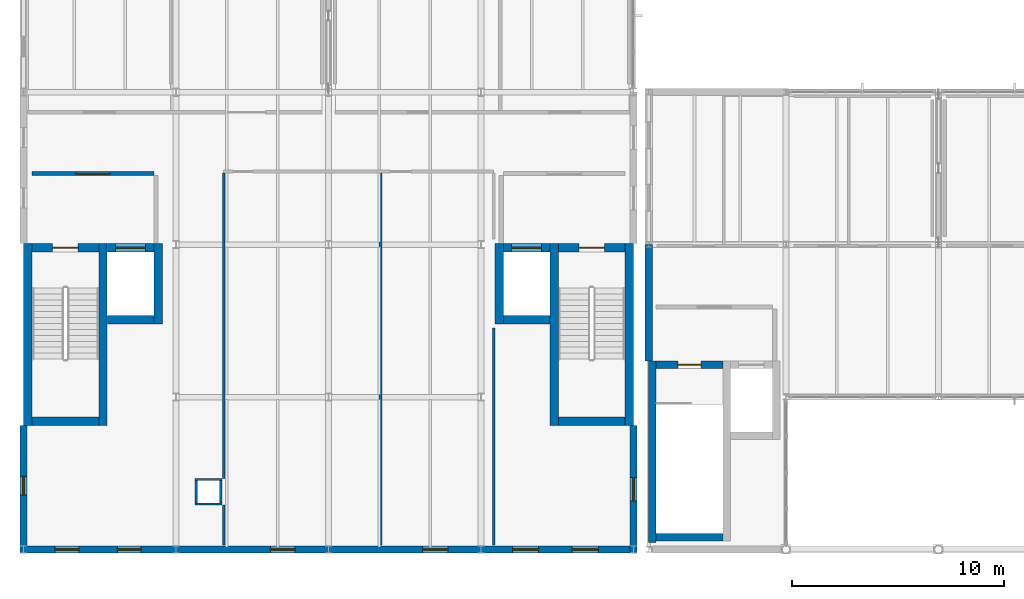
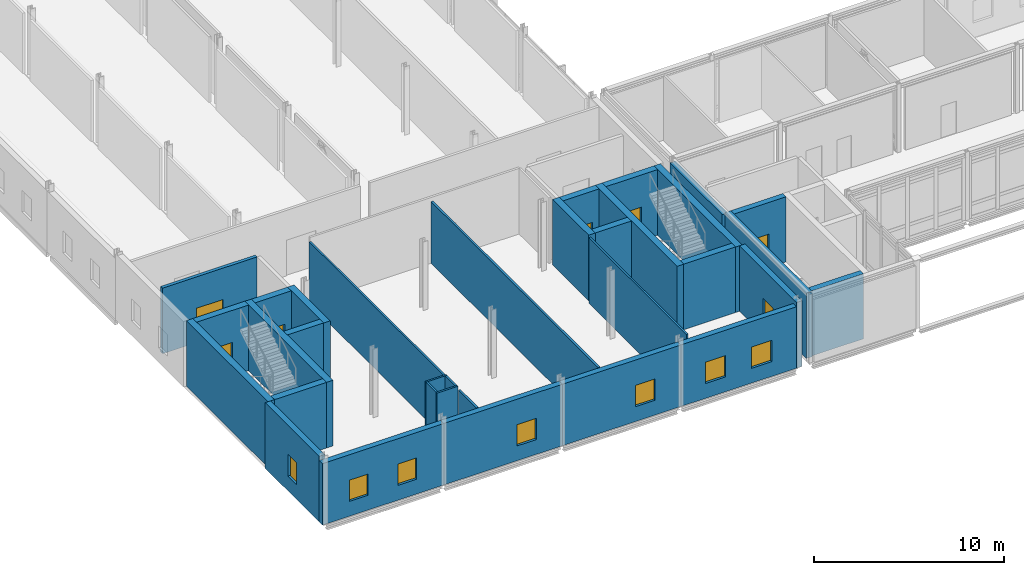
# One storey, part 29 of 43: 33 walls, 8 windows, 6 doors, 14 openings.
"""IFC4 building model written with IfcOpenShell, lengths in metres."""

import ifcopenshell
import ifcopenshell.guid

model = None  # the IFC model being written
_history = None  # IfcOwnerHistory: only IFC2X3 demands one
_inside = {}  # id of a spatial element -> (the spatial element, [elements in it])
_under = {}  # id of a project, library or spatial element -> (it, [spatial elements below it])
_declared = {}  # id of a project -> (the project, [libraries it declares])
_typed = {}  # id of a type object -> (the type object, [elements of that type])
_made_of = {}  # id of a material, layer set ... -> (it, [elements and type objects made of it])


def new_model(schema):
    """Start an empty IFC model of exactly this schema.

    Asked for "IFC4X3", IfcOpenShell would pick the latest addendum, in which some entities
    have other attributes; the version numbers below select the first issue.
    IFC2X3 requires an IfcOwnerHistory on every rooted entity: one is made here for all.
    """
    global model, _history
    if schema == "IFC4X3":
        model = ifcopenshell.file(schema_version=(4, 3, 0, 0))
    else:
        model = ifcopenshell.file(schema=schema)
    _inside.clear()
    _under.clear()
    _declared.clear()
    _typed.clear()
    _made_of.clear()
    _history = None
    if model.schema == "IFC2X3":
        org = make("IfcOrganization", Name="unknown")
        user = make(
            "IfcPersonAndOrganization",
            ThePerson=make("IfcPerson", FamilyName="unknown"),
            TheOrganization=org,
        )
        app = make(
            "IfcApplication",
            ApplicationDeveloper=org,
            Version="unknown",
            ApplicationFullName="unknown",
            ApplicationIdentifier="unknown",
        )
        _history = make(
            "IfcOwnerHistory",
            OwningUser=user,
            OwningApplication=app,
            ChangeAction="ADDED",
            CreationDate=0,
        )
    return model


def make(cls, **values):
    """One entity of the class cls with the attributes given. An attribute that is None is left unset."""
    return model.create_entity(
        cls, **{name: value for name, value in values.items() if value is not None}
    )


def rooted(cls, **values):
    """An entity with a GlobalId (a new one), such as an element, a storey or a relation."""
    return make(cls, GlobalId=ifcopenshell.guid.new(), OwnerHistory=_history, **values)


def si_unit(unit_type, name, prefix=None):
    """IfcSIUnit, for example si_unit("LENGTHUNIT", "METRE", prefix="MILLI")."""
    return make("IfcSIUnit", UnitType=unit_type, Prefix=prefix, Name=name)


def assignment(units):
    """IfcUnitAssignment: the units of a project."""
    return None if units is None else make("IfcUnitAssignment", Units=units)


def point(xyz):
    """IfcCartesianPoint."""
    return None if xyz is None else make("IfcCartesianPoint", Coordinates=xyz)


def direction(xyz):
    """IfcDirection."""
    return None if xyz is None else make("IfcDirection", DirectionRatios=xyz)


def frame(location, z_axis=None, x_axis=None):
    """IfcAxis2Placement3D, a coordinate frame: its origin and axes. An axis left out is left unset."""
    return make(
        "IfcAxis2Placement3D",
        Location=point(location),
        Axis=direction(z_axis),
        RefDirection=direction(x_axis),
    )


def frame_2d(location, x_axis=None):
    """IfcAxis2Placement2D, a coordinate frame in the plane: its origin and x axis."""
    return make(
        "IfcAxis2Placement2D", Location=point(location), RefDirection=direction(x_axis)
    )


def origin():
    """The frame at (0, 0, 0) with its axes left unset."""
    return frame((0.0, 0.0, 0.0))


def place(relative_to, where):
    """IfcLocalPlacement: puts the frame where relative to a parent placement (None: the world)."""
    return make(
        "IfcLocalPlacement", PlacementRelTo=relative_to, RelativePlacement=where
    )


def context(
    kind, dimensions, precision=None, world=None, true_north=None, identifier=None
):
    """IfcGeometricRepresentationContext, for example the 3D "Model" context."""
    return make(
        "IfcGeometricRepresentationContext",
        ContextIdentifier=identifier,
        ContextType=kind,
        CoordinateSpaceDimension=dimensions,
        Precision=precision,
        WorldCoordinateSystem=world,
        TrueNorth=true_north,
    )


def subcontext(parent, identifier, kind, view, scale=None):
    """IfcGeometricRepresentationSubContext, for example "Body" below "Model"."""
    return make(
        "IfcGeometricRepresentationSubContext",
        ContextIdentifier=identifier,
        ContextType=kind,
        ParentContext=parent,
        TargetScale=scale,
        TargetView=view,
    )


def project(units=None, contexts=None):
    """IfcProject with its units and contexts."""
    return rooted(
        "IfcProject",
        Name="project",
        RepresentationContexts=contexts,
        UnitsInContext=assignment(units),
    )


def spatial(cls, under=None, at=None, **own):
    """A site, building, storey or space (cls), placed at a placement, below another one or the project."""
    s = rooted(cls, ObjectPlacement=at, **own)
    if under is not None:
        _under.setdefault(under.id(), (under, []))[1].append(s)
    return s


def profile(cls, at=None, kind="AREA", **sizes):
    """A parametric profile (cls). Its sizes go by their IFC names, for example OverallWidth=200.0."""
    return make(cls, ProfileType=kind, Position=at, **sizes)


def rectangle(**sizes):
    """IfcRectangleProfileDef."""
    return profile("IfcRectangleProfileDef", **sizes)


def extrude(swept, where, along, depth):
    """IfcExtrudedAreaSolid: the profile swept, set in the frame where, extruded along a direction by depth."""
    return make(
        "IfcExtrudedAreaSolid",
        SweptArea=swept,
        Position=where,
        ExtrudedDirection=direction(along),
        Depth=depth,
    )


def shape(context_of_items, identifier, shape_type, items):
    """IfcShapeRepresentation: the items that make up one representation, for example the "Body"."""
    return make(
        "IfcShapeRepresentation",
        ContextOfItems=context_of_items,
        RepresentationIdentifier=identifier,
        RepresentationType=shape_type,
        Items=items,
    )


def material(Name=None, Category=None):
    """IfcMaterial."""
    return make("IfcMaterial", Name=Name, Category=Category)


def layer(
    of_material, thickness, ventilated=None, Name=None, Category=None, Priority=None
):
    """IfcMaterialLayer: one layer of a wall or slab, of a material (None: an air gap)."""
    return make(
        "IfcMaterialLayer",
        Material=of_material,
        LayerThickness=thickness,
        IsVentilated=ventilated,
        Name=Name,
        Category=Category,
        Priority=Priority,
    )


def layer_set(layers, Name=None):
    """IfcMaterialLayerSet."""
    return make("IfcMaterialLayerSet", MaterialLayers=layers, LayerSetName=Name)


def made_of(thing, what):
    """Note that an element or type object is made of a material, layer set ...; save() writes the relation."""
    if what is not None:
        _made_of.setdefault(what.id(), (what, []))[1].append(thing)
    return thing


def type_object(cls, material=None, **own):
    """A type object (cls), such as IfcWallType, which elements share."""
    return made_of(rooted(cls, **own), material)


def element(
    cls,
    number,
    at=None,
    inside=None,
    cuts=None,
    type_object=None,
    material=None,
    context=None,
    identifier="Body",
    shape_type=None,
    held_by="IfcProductDefinitionShape",
    body=None,
    shapes=None,
    **own,
):
    """One element of the class cls, such as IfcWall. Its Tag is "e" and its number.

    at: its placement. inside: the storey or other place that contains it. cuts: it is an
    opening in that element (IfcRelVoidsElement). A single representation is given by context,
    identifier, shape_type and body (its items); several are given by shapes. held_by: the class
    of the entity that holds the representations. save() writes the other relations.
    """
    e = rooted(cls, Tag="e%d" % number, ObjectPlacement=at, **own)
    if body is not None:
        shapes = [shape(context, identifier, shape_type, body)]
    if shapes is not None:
        e.Representation = make(held_by, Representations=shapes)
    if inside is not None:
        _inside.setdefault(inside.id(), (inside, []))[1].append(e)
    if cuts is not None:
        rooted(
            "IfcRelVoidsElement", RelatingBuildingElement=cuts, RelatedOpeningElement=e
        )
    if type_object is not None:
        _typed.setdefault(type_object.id(), (type_object, []))[1].append(e)
    return made_of(e, material)


def fill(opening, filler):
    """IfcRelFillsElement: the door or window that sits in an opening."""
    return rooted(
        "IfcRelFillsElement",
        RelatingOpeningElement=opening,
        RelatedBuildingElement=filler,
    )


def aggregate(whole, parts):
    """IfcRelAggregates: a whole, such as a stair, and the parts it consists of."""
    return rooted("IfcRelAggregates", RelatingObject=whole, RelatedObjects=parts)


def save(model, path):
    """Write the relations noted so far, then the file.

    IfcRelAggregates (storeys below a building ...), IfcRelContainedInSpatialStructure (elements
    in a storey), IfcRelDefinesByType, IfcRelAssociatesMaterial and IfcRelDeclares: one each for
    every whole, place, type object, material and project.
    """
    for whole, parts in _under.values():
        aggregate(whole, parts)
    for where, things in _inside.values():
        rooted(
            "IfcRelContainedInSpatialStructure",
            RelatedElements=things,
            RelatingStructure=where,
        )
    for kind, things in _typed.values():
        rooted("IfcRelDefinesByType", RelatedObjects=things, RelatingType=kind)
    for what, things in _made_of.values():
        rooted("IfcRelAssociatesMaterial", RelatedObjects=things, RelatingMaterial=what)
    for by, libraries in _declared.values():
        rooted("IfcRelDeclares", RelatingContext=by, RelatedDefinitions=libraries)
    model.write(path)


model = new_model("IFC4")

# Units and contexts
model_context = context("Model", 3, precision=1e-05, world=origin(), true_north=direction((0.0, 1.0)))
body_context = subcontext(model_context, "Body", "Model", "MODEL_VIEW")
ifc_project = project(units=[si_unit("LENGTHUNIT", "METRE"), si_unit("AREAUNIT", "SQUARE_METRE"), si_unit("VOLUMEUNIT", "CUBIC_METRE"), si_unit("PLANEANGLEUNIT", "RADIAN"), si_unit("MASSUNIT", "GRAM", prefix="KILO")], contexts=[model_context])

# Site, building, storey
site_placement = place(None, origin())
site = spatial("IfcSite", under=ifc_project, at=site_placement, CompositionType="ELEMENT")
building_placement = place(site_placement, origin())
building = spatial("IfcBuilding", under=site, at=building_placement, Name="Zarrinpeak Specialist Clinic", CompositionType="ELEMENT")
storey_placement = place(building_placement, frame((0.0, 0.0, 18.39990234375)))
storey = spatial("IfcBuildingStorey", under=building, at=storey_placement, Name="L04", CompositionType="ELEMENT", Elevation=18.39990234375)

# Wall
ifc_material_1 = material(Name="Concrete C40/50", Category="concrete")
ifc_layer_1 = layer(ifc_material_1, 0.35009765625)
ifc_layer_set_1 = layer_set([ifc_layer_1], Name="Concrete C40/50")
wall_type_1 = type_object("IfcWallType", Name="WL-CR350", PredefinedType="SHEAR", material=ifc_layer_set_1)
wall_1_placement = place(storey_placement, frame((29.8701171875, 0.574951171875, 0.0), z_axis=(0.0, 0.0, 1.0), x_axis=(1.0, 0.0, 0.0)))
element("IfcWall", 1, at=wall_1_placement, inside=storey, type_object=wall_type_1, Name="L04 Core C03 Shear Wall STS", PredefinedType="SHEAR", context=body_context, shape_type="SweptSolid", body=[
    extrude(rectangle(XDim=3.14990234375, YDim=0.35009765625, at=frame_2d((1.574951171875, 0.0))), origin(), (0.0, 0.0, 1.0), 4.18017578125),
])

# Wall, opening, door
wall_2_placement = place(storey_placement, frame((29.8701171875, 8.72509765625, 0.0), z_axis=(0.0, 0.0, 1.0), x_axis=(1.0, 0.0, 0.0)))
wall_2 = element("IfcWall", 2, at=wall_2_placement, inside=storey, type_object=wall_type_1, Name="L04 Core C03 Shear Wall STN", PredefinedType="SHEAR", context=body_context, shape_type="SweptSolid", body=[
    extrude(rectangle(XDim=3.14990234375, YDim=0.35009765625, at=frame_2d((1.574951171875, 0.0))), origin(), (0.0, 0.0, 1.0), 4.18017578125),
])
opening_1_placement = place(wall_2_placement, frame((1.02490234375, 0.0, 0.0)))
opening_1 = element("IfcOpeningElement", 3, at=opening_1_placement, cuts=wall_2, Name="Opening D-S02", PredefinedType="OPENING", context=body_context, shape_type="SweptSolid", body=[
    extrude(rectangle(XDim=1.10009765625, YDim=2.14990234375, at=frame_2d((0.550048828125, 1.074951171875))), frame((0.0, 0.18505859375, 0.0), z_axis=(0.0, -1.0, 0.0), x_axis=(1.0, 0.0, 0.0)), (0.0, 0.0, 1.0), 0.3701171875),
])
ifc_material_2 = material(Name="Powder-Coated Galvanised Steel", Category="steel")
door_type_1 = type_object("IfcDoorType", Name="DR-FD110", OperationType="SINGLE_SWING_RIGHT", PredefinedType="DOOR", material=ifc_material_2)
door_1_placement = place(opening_1_placement, frame((1.10009765625, 0.0, 0.0), z_axis=(0.0, 0.0, 1.0), x_axis=(-1.0, 0.0, 0.0)))
door_1 = element("IfcDoor", 4, at=door_1_placement, inside=storey, type_object=door_type_1, Name="L04 Protected Stair ST-03 Fire Door", OperationType="SINGLE_SWING_RIGHT", OverallHeight=2.14990234375, OverallWidth=1.10009765625, PredefinedType="DOOR", context=body_context, shape_type="SweptSolid", body=[
    extrude(rectangle(XDim=1.10009765625, YDim=2.14990234375, at=frame_2d((0.550048828125, 1.074951171875))), frame((0.0, 0.02490234375, 0.0), z_axis=(0.0, -1.0, 0.0), x_axis=(1.0, 0.0, 0.0)), (0.0, 0.0, 1.0), 0.050048828125),
])
fill(opening_1, door_1)

# Walls
wall_3_placement = place(storey_placement, frame((29.695068359375, 0.340087890625, 0.0), z_axis=(0.0, 0.0, 1.0), x_axis=(0.0, 1.0, 0.0)))
element("IfcWall", 5, at=wall_3_placement, inside=storey, type_object=wall_type_1, Name="L04 Core C03 Shear Wall STW", PredefinedType="SHEAR", context=body_context, shape_type="SweptSolid", body=[
    extrude(rectangle(XDim=8.559814453125, YDim=0.35009765625, at=frame_2d((4.27978515625, 0.0))), origin(), (0.0, 0.0, 1.0), 4.18017578125),
])
ifc_layer_2 = layer(ifc_material_1, 0.39990234375)
ifc_layer_set_2 = layer_set([ifc_layer_2], Name="Concrete C40/50")
wall_type_2 = type_object("IfcWallType", Name="WL-CR400", PredefinedType="SHEAR", material=ifc_layer_set_2)
wall_4_placement = place(storey_placement, frame((0.39990234375, 6.050048828125, 0.0), z_axis=(0.0, 0.0, 1.0), x_axis=(1.0, 0.0, 0.0)))
element("IfcWall", 6, at=wall_4_placement, inside=storey, type_object=wall_type_2, Name="L04 Core C01 Shear Wall STS", PredefinedType="SHEAR", context=body_context, shape_type="SweptSolid", body=[
    extrude(rectangle(XDim=3.150146484375, YDim=0.39990234375, at=frame_2d((1.5751953125, 0.0))), origin(), (0.0, 0.0, 1.0), 4.215087890625),
])

# Wall, opening, door
wall_5_placement = place(storey_placement, frame((0.39990234375, 14.25, 0.0), z_axis=(0.0, 0.0, 1.0), x_axis=(1.0, 0.0, 0.0)))
wall_5 = element("IfcWall", 7, at=wall_5_placement, inside=storey, type_object=wall_type_2, Name="L04 Core C01 Shear Wall STN", PredefinedType="SHEAR", context=body_context, shape_type="SweptSolid", body=[
    extrude(rectangle(XDim=3.150146484375, YDim=0.39990234375, at=frame_2d((1.5751953125, 0.0))), origin(), (0.0, 0.0, 1.0), 4.215087890625),
])
opening_2_placement = place(wall_5_placement, frame((0.97509765625, 0.0, 0.0)))
opening_2 = element("IfcOpeningElement", 8, at=opening_2_placement, cuts=wall_5, Name="Opening D-S01", PredefinedType="OPENING", context=body_context, shape_type="SweptSolid", body=[
    extrude(rectangle(XDim=1.199951171875, YDim=2.14990234375, at=frame_2d((0.60009765625, 1.074951171875))), frame((0.0, 0.2099609375, 0.0), z_axis=(0.0, -1.0, 0.0), x_axis=(1.0, 0.0, 0.0)), (0.0, 0.0, 1.0), 0.419921875),
])
door_type_2 = type_object("IfcDoorType", Name="DR-FD120", OperationType="SINGLE_SWING_LEFT", PredefinedType="DOOR", material=ifc_material_2)
door_2_placement = place(opening_2_placement, frame((1.199951171875, 0.0, 0.0), z_axis=(0.0, 0.0, 1.0), x_axis=(-1.0, 0.0, 0.0)))
door_2 = element("IfcDoor", 9, at=door_2_placement, inside=storey, type_object=door_type_2, Name="L04 Protected Stair ST-01 Fire Door", OperationType="SINGLE_SWING_LEFT", OverallHeight=2.14990234375, OverallWidth=1.199951171875, PredefinedType="DOOR", context=body_context, shape_type="SweptSolid", body=[
    extrude(rectangle(XDim=1.199951171875, YDim=2.14990234375, at=frame_2d((0.60009765625, 1.074951171875))), frame((0.0, 0.02490234375, 0.0), z_axis=(0.0, -1.0, 0.0), x_axis=(1.0, 0.0, 0.0)), (0.0, 0.0, 1.0), 0.050048828125),
])
fill(opening_2, door_2)

# Walls
for number, where, z_axis, x_axis, name in (
    (10, (0.199951171875, 5.85009765625, 0.0), (0.0, 0.0, 1.0), (0.0, 1.0, 0.0), "L04 Core C01 Shear Wall STW"),
    (11, (3.75, 5.85009765625, 0.0), (0.0, 0.0, 1.0), (0.0, 1.0, 0.0), "L04 Core C01 Shear Wall STE"),
):
    element("IfcWall", number, at=place(storey_placement, frame(where, z_axis=z_axis, x_axis=x_axis)), inside=storey, type_object=wall_type_2, Name=name, PredefinedType="SHEAR", context=body_context, shape_type="SweptSolid", body=[
        extrude(rectangle(XDim=8.599853515625, YDim=0.39990234375, at=frame_2d((4.2998046875, 0.0))), origin(), (0.0, 0.0, 1.0), 4.215087890625),
    ])
wall_6_placement = place(storey_placement, frame((3.949951171875, 10.85009765625, 0.0), z_axis=(0.0, 0.0, 1.0), x_axis=(1.0, 0.0, 0.0)))
element("IfcWall", 12, at=wall_6_placement, inside=storey, type_object=wall_type_2, Name="L04 Lift LF-FF1 Shaft Wall LFS", PredefinedType="SHEAR", context=body_context, shape_type="SweptSolid", body=[
    extrude(rectangle(XDim=2.199951171875, YDim=0.39990234375, at=frame_2d((1.10009765625, 0.0))), origin(), (0.0, 0.0, 1.0), 4.215087890625),
])

# Wall, opening, door
wall_7_placement = place(storey_placement, frame((3.949951171875, 14.25, 0.0), z_axis=(0.0, 0.0, 1.0), x_axis=(1.0, 0.0, 0.0)))
wall_7 = element("IfcWall", 13, at=wall_7_placement, inside=storey, type_object=wall_type_2, Name="L04 Lift LF-FF1 Shaft Wall LFN", PredefinedType="SHEAR", context=body_context, shape_type="SweptSolid", body=[
    extrude(rectangle(XDim=2.199951171875, YDim=0.39990234375, at=frame_2d((1.10009765625, 0.0))), origin(), (0.0, 0.0, 1.0), 4.215087890625),
])
opening_3_placement = place(wall_7_placement, frame((0.39990234375, 0.0, 0.0)))
opening_3 = element("IfcOpeningElement", 14, at=opening_3_placement, cuts=wall_7, Name="Opening LD-01", PredefinedType="OPENING", context=body_context, shape_type="SweptSolid", body=[
    extrude(rectangle(XDim=1.39990234375, YDim=2.199951171875, at=frame_2d((0.699951171875, 1.10009765625))), frame((0.0, 0.2099609375, 0.0), z_axis=(0.0, -1.0, 0.0), x_axis=(1.0, 0.0, 0.0)), (0.0, 0.0, 1.0), 0.419921875),
])
door_type_3 = type_object("IfcDoorType", Name="DR-LD140", OperationType="SLIDING_TO_LEFT", PredefinedType="DOOR", material=ifc_material_2)
door_3_placement = place(opening_3_placement, origin())
door_3 = element("IfcDoor", 15, at=door_3_placement, inside=storey, type_object=door_type_3, Name="L04 Lift LF-FF1 Sliding Landing Door", OperationType="SLIDING_TO_LEFT", OverallHeight=2.199951171875, OverallWidth=1.39990234375, PredefinedType="DOOR", context=body_context, shape_type="SweptSolid", body=[
    extrude(rectangle(XDim=1.39990234375, YDim=2.199951171875, at=frame_2d((0.699951171875, 1.10009765625))), frame((0.0, 0.02490234375, 0.0), z_axis=(0.0, -1.0, 0.0), x_axis=(1.0, 0.0, 0.0)), (0.0, 0.0, 1.0), 0.050048828125),
])
fill(opening_3, door_3)

# Walls
wall_8_placement = place(storey_placement, frame((6.35009765625, 10.64990234375, 0.0), z_axis=(0.0, 0.0, 1.0), x_axis=(0.0, 1.0, 0.0)))
element("IfcWall", 16, at=wall_8_placement, inside=storey, type_object=wall_type_2, Name="L04 Lift LF-FF1 Shaft Wall LFE", PredefinedType="SHEAR", context=body_context, shape_type="SweptSolid", body=[
    extrude(rectangle(XDim=3.800048828125, YDim=0.39990234375, at=frame_2d((1.89990234375, 0.0))), origin(), (0.0, 0.0, 1.0), 4.215087890625),
])
wall_9_placement = place(storey_placement, frame((25.25, 6.050048828125, 0.0), z_axis=(0.0, 0.0, 1.0), x_axis=(1.0, 0.0, 0.0)))
element("IfcWall", 17, at=wall_9_placement, inside=storey, type_object=wall_type_2, Name="L04 Core C02 Shear Wall STS", PredefinedType="SHEAR", context=body_context, shape_type="SweptSolid", body=[
    extrude(rectangle(XDim=3.14990234375, YDim=0.39990234375, at=frame_2d((1.574951171875, 0.0))), origin(), (0.0, 0.0, 1.0), 4.215087890625),
])

# Wall, opening, door
wall_10_placement = place(storey_placement, frame((25.25, 14.25, 0.0), z_axis=(0.0, 0.0, 1.0), x_axis=(1.0, 0.0, 0.0)))
wall_10 = element("IfcWall", 18, at=wall_10_placement, inside=storey, type_object=wall_type_2, Name="L04 Core C02 Shear Wall STN", PredefinedType="SHEAR", context=body_context, shape_type="SweptSolid", body=[
    extrude(rectangle(XDim=3.14990234375, YDim=0.39990234375, at=frame_2d((1.574951171875, 0.0))), origin(), (0.0, 0.0, 1.0), 4.215087890625),
])
opening_4_placement = place(wall_10_placement, frame((0.97509765625, 0.0, 0.0)))
opening_4 = element("IfcOpeningElement", 19, at=opening_4_placement, cuts=wall_10, Name="Opening D-S01", PredefinedType="OPENING", context=body_context, shape_type="SweptSolid", body=[
    extrude(rectangle(XDim=1.199951171875, YDim=2.14990234375, at=frame_2d((0.60009765625, 1.074951171875))), frame((0.0, 0.2099609375, 0.0), z_axis=(0.0, -1.0, 0.0), x_axis=(1.0, 0.0, 0.0)), (0.0, 0.0, 1.0), 0.419921875),
])
door_4_placement = place(opening_4_placement, frame((1.199951171875, 0.0, 0.0), z_axis=(0.0, 0.0, 1.0), x_axis=(-1.0, 0.0, 0.0)))
door_4 = element("IfcDoor", 20, at=door_4_placement, inside=storey, type_object=door_type_2, Name="L04 Protected Stair ST-02 Fire Door", OperationType="SINGLE_SWING_LEFT", OverallHeight=2.14990234375, OverallWidth=1.199951171875, PredefinedType="DOOR", context=body_context, shape_type="SweptSolid", body=[
    extrude(rectangle(XDim=1.199951171875, YDim=2.14990234375, at=frame_2d((0.60009765625, 1.074951171875))), frame((0.0, 0.02490234375, 0.0), z_axis=(0.0, -1.0, 0.0), x_axis=(1.0, 0.0, 0.0)), (0.0, 0.0, 1.0), 0.050048828125),
])
fill(opening_4, door_4)

# Walls
for number, where, z_axis, x_axis, name in (
    (21, (25.050048828125, 5.85009765625, 0.0), (0.0, 0.0, 1.0), (0.0, 1.0, 0.0), "L04 Core C02 Shear Wall STW"),
    (22, (28.60009765625, 5.85009765625, 0.0), (0.0, 0.0, 1.0), (0.0, 1.0, 0.0), "L04 Core C02 Shear Wall STE"),
):
    element("IfcWall", number, at=place(storey_placement, frame(where, z_axis=z_axis, x_axis=x_axis)), inside=storey, type_object=wall_type_2, Name=name, PredefinedType="SHEAR", context=body_context, shape_type="SweptSolid", body=[
        extrude(rectangle(XDim=8.599853515625, YDim=0.39990234375, at=frame_2d((4.2998046875, 0.0))), origin(), (0.0, 0.0, 1.0), 4.215087890625),
    ])
wall_11_placement = place(storey_placement, frame((22.64990234375, 10.85009765625, 0.0), z_axis=(0.0, 0.0, 1.0), x_axis=(1.0, 0.0, 0.0)))
element("IfcWall", 23, at=wall_11_placement, inside=storey, type_object=wall_type_2, Name="L04 Lift LF-FF2 Shaft Wall LFS", PredefinedType="SHEAR", context=body_context, shape_type="SweptSolid", body=[
    extrude(rectangle(XDim=2.2001953125, YDim=0.39990234375, at=frame_2d((1.10009765625, 0.0))), origin(), (0.0, 0.0, 1.0), 4.215087890625),
])

# Wall, opening, door
wall_12_placement = place(storey_placement, frame((22.64990234375, 14.25, 0.0), z_axis=(0.0, 0.0, 1.0), x_axis=(1.0, 0.0, 0.0)))
wall_12 = element("IfcWall", 24, at=wall_12_placement, inside=storey, type_object=wall_type_2, Name="L04 Lift LF-FF2 Shaft Wall LFN", PredefinedType="SHEAR", context=body_context, shape_type="SweptSolid", body=[
    extrude(rectangle(XDim=2.2001953125, YDim=0.39990234375, at=frame_2d((1.10009765625, 0.0))), origin(), (0.0, 0.0, 1.0), 4.215087890625),
])
opening_5_placement = place(wall_12_placement, frame((0.39990234375, 0.0, 0.0)))
opening_5 = element("IfcOpeningElement", 25, at=opening_5_placement, cuts=wall_12, Name="Opening LD-01", PredefinedType="OPENING", context=body_context, shape_type="SweptSolid", body=[
    extrude(rectangle(XDim=1.39990234375, YDim=2.199951171875, at=frame_2d((0.699951171875, 1.10009765625))), frame((0.0, 0.2099609375, 0.0), z_axis=(0.0, -1.0, 0.0), x_axis=(1.0, 0.0, 0.0)), (0.0, 0.0, 1.0), 0.419921875),
])
door_5_placement = place(opening_5_placement, origin())
door_5 = element("IfcDoor", 26, at=door_5_placement, inside=storey, type_object=door_type_3, Name="L04 Lift LF-FF2 Sliding Landing Door", OperationType="SLIDING_TO_LEFT", OverallHeight=2.199951171875, OverallWidth=1.39990234375, PredefinedType="DOOR", context=body_context, shape_type="SweptSolid", body=[
    extrude(rectangle(XDim=1.39990234375, YDim=2.199951171875, at=frame_2d((0.699951171875, 1.10009765625))), frame((0.0, 0.02490234375, 0.0), z_axis=(0.0, -1.0, 0.0), x_axis=(1.0, 0.0, 0.0)), (0.0, 0.0, 1.0), 0.050048828125),
])
fill(opening_5, door_5)

# Wall
wall_13_placement = place(storey_placement, frame((22.449951171875, 10.64990234375, 0.0), z_axis=(0.0, 0.0, 1.0), x_axis=(0.0, 1.0, 0.0)))
element("IfcWall", 27, at=wall_13_placement, inside=storey, type_object=wall_type_2, Name="L04 Lift LF-FF2 Shaft Wall LFW", PredefinedType="SHEAR", context=body_context, shape_type="SweptSolid", body=[
    extrude(rectangle(XDim=3.800048828125, YDim=0.39990234375, at=frame_2d((1.89990234375, 0.0))), origin(), (0.0, 0.0, 1.0), 4.215087890625),
])

# Wall, openings, windows
ifc_material_3 = material(Name="Precast concrete C40/50", Category="concrete")
ifc_layer_3 = layer(ifc_material_3, 0.340087890625)
ifc_layer_set_3 = layer_set([ifc_layer_3], Name="Precast concrete C40/50")
wall_type_3 = type_object("IfcWallType", Name="WL-EW340", PredefinedType="STANDARD", material=ifc_layer_set_3)
wall_14_placement = place(storey_placement, frame((-0.169921875, 0.0, 0.0), z_axis=(0.0, 0.0, 1.0), x_axis=(1.0, 0.0, 0.0)))
wall_14 = element("IfcWall", 28, at=wall_14_placement, inside=storey, type_object=wall_type_3, Name="L04 V1 Exterior GRC Wall EW-L04-V1-0057", PredefinedType="STANDARD", context=body_context, shape_type="SweptSolid", body=[
    extrude(rectangle(XDim=7.369873046875, YDim=0.340087890625, at=frame_2d((3.68505859375, 0.0))), origin(), (0.0, 0.0, 1.0), 3.9501953125),
])
opening_6_placement = place(wall_14_placement, frame((1.64501953125, 0.0, 0.949951171875)))
opening_6 = element("IfcOpeningElement", 29, at=opening_6_placement, cuts=wall_14, Name="Opening WS-48", PredefinedType="OPENING", context=body_context, shape_type="SweptSolid", body=[
    extrude(rectangle(XDim=1.132080078125, YDim=1.367919921875, at=frame_2d((0.56591796875, 0.68408203125))), frame((0.0, 0.18017578125, 0.0), z_axis=(0.0, -1.0, 0.0), x_axis=(1.0, 0.0, 0.0)), (0.0, 0.0, 1.0), 0.360107421875),
])
opening_7_placement = place(wall_14_placement, frame((4.593017578125, 0.0, 0.949951171875)))
opening_7 = element("IfcOpeningElement", 30, at=opening_7_placement, cuts=wall_14, Name="Opening WS-48", PredefinedType="OPENING", context=body_context, shape_type="SweptSolid", body=[
    extrude(rectangle(XDim=1.132080078125, YDim=1.367919921875, at=frame_2d((0.56591796875, 0.68408203125))), frame((0.0, 0.18017578125, 0.0), z_axis=(0.0, -1.0, 0.0), x_axis=(1.0, 0.0, 0.0)), (0.0, 0.0, 1.0), 0.360107421875),
])
ifc_material_4 = material(Name="Thermally Broken Aluminium and Low-E Glazing", Category="aluminium")
window_type_1 = type_object("IfcWindowType", Name="WN-SP48", PartitioningType="SINGLE_PANEL", PredefinedType="WINDOW", material=ifc_material_4)
window_1_placement = place(opening_6_placement, origin())
window_1 = element("IfcWindow", 31, at=window_1_placement, inside=storey, type_object=window_type_1, Name="L04 Modular Facade Window WN-L04-0086", OverallHeight=1.367919921875, OverallWidth=1.132080078125, PartitioningType="SINGLE_PANEL", PredefinedType="WINDOW", context=body_context, shape_type="SweptSolid", body=[
    extrude(rectangle(XDim=1.132080078125, YDim=1.367919921875, at=frame_2d((0.56591796875, 0.68408203125))), frame((0.0, 0.030029296875, 0.0), z_axis=(0.0, -1.0, 0.0), x_axis=(1.0, 0.0, 0.0)), (0.0, 0.0, 1.0), 0.06005859375),
])
fill(opening_6, window_1)
window_2_placement = place(opening_7_placement, origin())
window_2 = element("IfcWindow", 32, at=window_2_placement, inside=storey, type_object=window_type_1, Name="L04 Modular Facade Window WN-L04-0087", OverallHeight=1.367919921875, OverallWidth=1.132080078125, PartitioningType="SINGLE_PANEL", PredefinedType="WINDOW", context=body_context, shape_type="SweptSolid", body=[
    extrude(rectangle(XDim=1.132080078125, YDim=1.367919921875, at=frame_2d((0.56591796875, 0.68408203125))), frame((0.0, 0.030029296875, 0.0), z_axis=(0.0, -1.0, 0.0), x_axis=(1.0, 0.0, 0.0)), (0.0, 0.0, 1.0), 0.06005859375),
])
fill(opening_7, window_2)

# Wall, opening, window
wall_15_placement = place(storey_placement, frame((7.199951171875, 0.0, 0.0), z_axis=(0.0, 0.0, 1.0), x_axis=(1.0, 0.0, 0.0)))
wall_15 = element("IfcWall", 33, at=wall_15_placement, inside=storey, type_object=wall_type_3, Name="L04 V1 Exterior GRC Wall EW-L04-V1-0058", PredefinedType="STANDARD", context=body_context, shape_type="SweptSolid", body=[
    extrude(rectangle(XDim=7.199951171875, YDim=0.340087890625, at=frame_2d((3.60009765625, 0.0))), origin(), (0.0, 0.0, 1.0), 3.9501953125),
])
opening_8_placement = place(wall_15_placement, frame((4.45703125, 0.0, 0.949951171875)))
opening_8 = element("IfcOpeningElement", 34, at=opening_8_placement, cuts=wall_15, Name="Opening WS-49", PredefinedType="OPENING", context=body_context, shape_type="SweptSolid", body=[
    extrude(rectangle(XDim=1.166015625, YDim=1.367919921875, at=frame_2d((0.5830078125, 0.68408203125))), frame((0.0, 0.18017578125, 0.0), z_axis=(0.0, -1.0, 0.0), x_axis=(1.0, 0.0, 0.0)), (0.0, 0.0, 1.0), 0.360107421875),
])
window_type_2 = type_object("IfcWindowType", Name="WN-SP49", PartitioningType="SINGLE_PANEL", PredefinedType="WINDOW", material=ifc_material_4)
window_3_placement = place(opening_8_placement, origin())
window_3 = element("IfcWindow", 35, at=window_3_placement, inside=storey, type_object=window_type_2, Name="L04 Modular Facade Window WN-L04-0088", OverallHeight=1.367919921875, OverallWidth=1.166015625, PartitioningType="SINGLE_PANEL", PredefinedType="WINDOW", context=body_context, shape_type="SweptSolid", body=[
    extrude(rectangle(XDim=1.166015625, YDim=1.367919921875, at=frame_2d((0.5830078125, 0.68408203125))), frame((0.0, 0.030029296875, 0.0), z_axis=(0.0, -1.0, 0.0), x_axis=(1.0, 0.0, 0.0)), (0.0, 0.0, 1.0), 0.06005859375),
])
fill(opening_8, window_3)

wall_16_placement = place(storey_placement, frame((14.39990234375, 0.0, 0.0), z_axis=(0.0, 0.0, 1.0), x_axis=(1.0, 0.0, 0.0)))
wall_16 = element("IfcWall", 36, at=wall_16_placement, inside=storey, type_object=wall_type_3, Name="L04 V1 Exterior GRC Wall EW-L04-V1-0059", PredefinedType="STANDARD", context=body_context, shape_type="SweptSolid", body=[
    extrude(rectangle(XDim=7.2001953125, YDim=0.340087890625, at=frame_2d((3.60009765625, 0.0))), origin(), (0.0, 0.0, 1.0), 3.9501953125),
])
opening_9_placement = place(wall_16_placement, frame((4.43994140625, 0.0, 0.949951171875)))
opening_9 = element("IfcOpeningElement", 37, at=opening_9_placement, cuts=wall_16, Name="Opening WS-50", PredefinedType="OPENING", context=body_context, shape_type="SweptSolid", body=[
    extrude(rectangle(XDim=1.199951171875, YDim=1.367919921875, at=frame_2d((0.60009765625, 0.68408203125))), frame((0.0, 0.18017578125, 0.0), z_axis=(0.0, -1.0, 0.0), x_axis=(1.0, 0.0, 0.0)), (0.0, 0.0, 1.0), 0.360107421875),
])
window_type_3 = type_object("IfcWindowType", Name="WN-SP50", PartitioningType="SINGLE_PANEL", PredefinedType="WINDOW", material=ifc_material_4)
window_4_placement = place(opening_9_placement, origin())
window_4 = element("IfcWindow", 38, at=window_4_placement, inside=storey, type_object=window_type_3, Name="L04 Modular Facade Window WN-L04-0089", OverallHeight=1.367919921875, OverallWidth=1.199951171875, PartitioningType="SINGLE_PANEL", PredefinedType="WINDOW", context=body_context, shape_type="SweptSolid", body=[
    extrude(rectangle(XDim=1.199951171875, YDim=1.367919921875, at=frame_2d((0.60009765625, 0.68408203125))), frame((0.0, 0.030029296875, 0.0), z_axis=(0.0, -1.0, 0.0), x_axis=(1.0, 0.0, 0.0)), (0.0, 0.0, 1.0), 0.06005859375),
])
fill(opening_9, window_4)

# Wall, openings, windows
wall_17_placement = place(storey_placement, frame((21.60009765625, 0.0, 0.0), z_axis=(0.0, 0.0, 1.0), x_axis=(1.0, 0.0, 0.0)))
wall_17 = element("IfcWall", 39, at=wall_17_placement, inside=storey, type_object=wall_type_3, Name="L04 V1 Exterior GRC Wall EW-L04-V1-0060", PredefinedType="STANDARD", context=body_context, shape_type="SweptSolid", body=[
    extrude(rectangle(XDim=7.02978515625, YDim=0.340087890625, at=frame_2d((3.514892578125, 0.0))), origin(), (0.0, 0.0, 1.0), 3.9501953125),
])
opening_10_placement = place(wall_17_placement, frame((1.491943359375, 0.0, 0.949951171875)))
opening_10 = element("IfcOpeningElement", 40, at=opening_10_placement, cuts=wall_17, Name="Opening WS-51", PredefinedType="OPENING", context=body_context, shape_type="SweptSolid", body=[
    extrude(rectangle(XDim=1.23388671875, YDim=1.367919921875, at=frame_2d((0.616943359375, 0.68408203125))), frame((0.0, 0.18017578125, 0.0), z_axis=(0.0, -1.0, 0.0), x_axis=(1.0, 0.0, 0.0)), (0.0, 0.0, 1.0), 0.360107421875),
])
opening_11_placement = place(wall_17_placement, frame((4.303955078125, 0.0, 0.949951171875)))
opening_11 = element("IfcOpeningElement", 41, at=opening_11_placement, cuts=wall_17, Name="Opening WS-51", PredefinedType="OPENING", context=body_context, shape_type="SweptSolid", body=[
    extrude(rectangle(XDim=1.23388671875, YDim=1.367919921875, at=frame_2d((0.616943359375, 0.68408203125))), frame((0.0, 0.18017578125, 0.0), z_axis=(0.0, -1.0, 0.0), x_axis=(1.0, 0.0, 0.0)), (0.0, 0.0, 1.0), 0.360107421875),
])
window_type_4 = type_object("IfcWindowType", Name="WN-SP51", PartitioningType="SINGLE_PANEL", PredefinedType="WINDOW", material=ifc_material_4)
window_5_placement = place(opening_10_placement, origin())
window_5 = element("IfcWindow", 42, at=window_5_placement, inside=storey, type_object=window_type_4, Name="L04 Modular Facade Window WN-L04-0090", OverallHeight=1.367919921875, OverallWidth=1.23388671875, PartitioningType="SINGLE_PANEL", PredefinedType="WINDOW", context=body_context, shape_type="SweptSolid", body=[
    extrude(rectangle(XDim=1.23388671875, YDim=1.367919921875, at=frame_2d((0.616943359375, 0.68408203125))), frame((0.0, 0.030029296875, 0.0), z_axis=(0.0, -1.0, 0.0), x_axis=(1.0, 0.0, 0.0)), (0.0, 0.0, 1.0), 0.06005859375),
])
fill(opening_10, window_5)
window_6_placement = place(opening_11_placement, origin())
window_6 = element("IfcWindow", 43, at=window_6_placement, inside=storey, type_object=window_type_4, Name="L04 Modular Facade Window WN-L04-0091", OverallHeight=1.367919921875, OverallWidth=1.23388671875, PartitioningType="SINGLE_PANEL", PredefinedType="WINDOW", context=body_context, shape_type="SweptSolid", body=[
    extrude(rectangle(XDim=1.23388671875, YDim=1.367919921875, at=frame_2d((0.616943359375, 0.68408203125))), frame((0.0, 0.030029296875, 0.0), z_axis=(0.0, -1.0, 0.0), x_axis=(1.0, 0.0, 0.0)), (0.0, 0.0, 1.0), 0.06005859375),
])
fill(opening_11, window_6)

# Wall, opening, window
wall_18_placement = place(storey_placement, frame((0.0, 5.85009765625, 0.0), z_axis=(0.0, 0.0, 1.0), x_axis=(0.0, -1.0, 0.0)))
wall_18 = element("IfcWall", 44, at=wall_18_placement, inside=storey, type_object=wall_type_3, Name="L04 V1 Exterior GRC Wall EW-L04-V1-0063", PredefinedType="STANDARD", context=body_context, shape_type="SweptSolid", body=[
    extrude(rectangle(XDim=5.68017578125, YDim=0.340087890625, at=frame_2d((2.840087890625, 0.0))), origin(), (0.0, 0.0, 1.0), 4.215087890625),
])
opening_12_placement = place(wall_18_placement, frame((2.39306640625, 0.0, 0.949951171875)))
opening_12 = element("IfcOpeningElement", 45, at=opening_12_placement, cuts=wall_18, Name="Opening WS-54", PredefinedType="OPENING", context=body_context, shape_type="SweptSolid", body=[
    extrude(rectangle(XDim=0.89404296875, YDim=1.404052734375, at=frame_2d((0.447021484375, 0.7021484375))), frame((0.0, 0.18017578125, 0.0), z_axis=(0.0, -1.0, 0.0), x_axis=(1.0, 0.0, 0.0)), (0.0, 0.0, 1.0), 0.360107421875),
])
window_type_5 = type_object("IfcWindowType", Name="WN-SP54", PartitioningType="SINGLE_PANEL", PredefinedType="WINDOW", material=ifc_material_4)
window_7_placement = place(opening_12_placement, origin())
window_7 = element("IfcWindow", 46, at=window_7_placement, inside=storey, type_object=window_type_5, Name="L04 Modular Facade Window WN-L04-0096", OverallHeight=1.404052734375, OverallWidth=0.89404296875, PartitioningType="SINGLE_PANEL", PredefinedType="WINDOW", context=body_context, shape_type="SweptSolid", body=[
    extrude(rectangle(XDim=0.89404296875, YDim=1.404052734375, at=frame_2d((0.447021484375, 0.7021484375))), frame((0.0, 0.030029296875, 0.0), z_axis=(0.0, -1.0, 0.0), x_axis=(1.0, 0.0, 0.0)), (0.0, 0.0, 1.0), 0.06005859375),
])
fill(opening_12, window_7)

wall_19_placement = place(storey_placement, frame((28.800048828125, -0.169921875, 0.0), z_axis=(0.0, 0.0, 1.0), x_axis=(0.0, 1.0, 0.0)))
wall_19 = element("IfcWall", 47, at=wall_19_placement, inside=storey, type_object=wall_type_3, Name="L04 V1 Exterior GRC Wall EW-L04-V1-0069", PredefinedType="STANDARD", context=body_context, shape_type="SweptSolid", body=[
    extrude(rectangle(XDim=6.02001953125, YDim=0.340087890625, at=frame_2d((3.010009765625, 0.0))), origin(), (0.0, 0.0, 1.0), 4.215087890625),
])
opening_13_placement = place(wall_19_placement, frame((2.4609375, 0.0, 0.949951171875)))
opening_13 = element("IfcOpeningElement", 48, at=opening_13_placement, cuts=wall_19, Name="Opening WS-60", PredefinedType="OPENING", context=body_context, shape_type="SweptSolid", body=[
    extrude(rectangle(XDim=1.097900390625, YDim=1.404052734375, at=frame_2d((0.548828125, 0.7021484375))), frame((0.0, 0.18017578125, 0.0), z_axis=(0.0, -1.0, 0.0), x_axis=(1.0, 0.0, 0.0)), (0.0, 0.0, 1.0), 0.360107421875),
])
window_type_6 = type_object("IfcWindowType", Name="WN-SP60", PartitioningType="SINGLE_PANEL", PredefinedType="WINDOW", material=ifc_material_4)
window_8_placement = place(opening_13_placement, origin())
window_8 = element("IfcWindow", 49, at=window_8_placement, inside=storey, type_object=window_type_6, Name="L04 Modular Facade Window WN-L04-0107", OverallHeight=1.404052734375, OverallWidth=1.097900390625, PartitioningType="SINGLE_PANEL", PredefinedType="WINDOW", context=body_context, shape_type="SweptSolid", body=[
    extrude(rectangle(XDim=1.097900390625, YDim=1.404052734375, at=frame_2d((0.548828125, 0.7021484375))), frame((0.0, 0.030029296875, 0.0), z_axis=(0.0, -1.0, 0.0), x_axis=(1.0, 0.0, 0.0)), (0.0, 0.0, 1.0), 0.06005859375),
])
fill(opening_13, window_8)

# Walls
wall_20_placement = place(storey_placement, frame((29.52001953125, 14.39990234375, 0.0), z_axis=(0.0, 0.0, 1.0), x_axis=(0.0, -1.0, 0.0)))
element("IfcWall", 50, at=wall_20_placement, inside=storey, type_object=wall_type_3, Name="L04 V2 Exterior GRC Wall EW-L04-V2-0147", PredefinedType="STANDARD", context=body_context, shape_type="SweptSolid", body=[
    extrude(rectangle(XDim=5.5, YDim=0.340087890625, at=frame_2d((2.75, 0.0))), origin(), (0.0, 0.0, 1.0), 4.110107421875),
])
ifc_material_5 = material(Name="Sanitary Service Chase Plumbing Wall", Category="gypsum")
ifc_layer_4 = layer(ifc_material_5, 0.110107421875)
ifc_layer_set_4 = layer_set([ifc_layer_4], Name="Sanitary Service Chase Plumbing Wall")
wall_type_4 = type_object("IfcWallType", Name="WL-IW110", PredefinedType="PARTITIONING", material=ifc_layer_set_4)
for number, where, z_axis, x_axis, name in (
    (51, (8.090087890625, 2.14501953125, 0.0), (0.0, 0.0, 1.0), (1.0, 0.0, 0.0), "L04 V1 Enclosed MEP Service Riser Wall S"),
    (52, (8.090087890625, 3.304931640625, 0.0), (0.0, 0.0, 1.0), (1.0, 0.0, 0.0), "L04 V1 Enclosed MEP Service Riser Wall N"),
):
    element("IfcWall", number, at=place(storey_placement, frame(where, z_axis=z_axis, x_axis=x_axis)), inside=storey, type_object=wall_type_4, Name=name, PredefinedType="PARTITIONING", context=body_context, shape_type="SweptSolid", body=[
        extrude(rectangle(XDim=1.27001953125, YDim=0.110107421875, at=frame_2d((0.635009765625, 0.0))), origin(), (0.0, 0.0, 1.0), 4.215087890625),
    ])
for number, where, z_axis, x_axis, name in (
    (53, (8.14501953125, 2.199951171875, 0.0), (0.0, 0.0, 1.0), (0.0, 1.0, 0.0), "L04 V1 Enclosed MEP Service Riser Wall W"),
    (54, (9.304931640625, 2.199951171875, 0.0), (0.0, 0.0, 1.0), (0.0, 1.0, 0.0), "L04 V1 Enclosed MEP Service Riser Wall E"),
):
    element("IfcWall", number, at=place(storey_placement, frame(where, z_axis=z_axis, x_axis=x_axis)), inside=storey, type_object=wall_type_4, Name=name, PredefinedType="PARTITIONING", context=body_context, shape_type="SweptSolid", body=[
        extrude(rectangle(XDim=1.050048828125, YDim=0.110107421875, at=frame_2d((0.52490234375, 0.0))), origin(), (0.0, 0.0, 1.0), 4.215087890625),
    ])
wall_21_placement = place(storey_placement, frame((9.449951171875, 3.360107421875, 0.0), z_axis=(0.0, 0.0, 1.0), x_axis=(0.0, 1.0, 0.0)))
element("IfcWall", 55, at=wall_21_placement, inside=storey, type_object=wall_type_4, Name="L04 Staff WC Dividing Partition", PredefinedType="PARTITIONING", context=body_context, shape_type="SweptSolid", body=[
    extrude(rectangle(XDim=14.427490234375, YDim=0.110107421875, at=frame_2d((7.2138671875, 0.0))), origin(), (0.0, 0.0, 1.0), 3.960205078125),
])
wall_22_placement = place(storey_placement, frame((22.199951171875, 0.199951171875, 0.0), z_axis=(0.0, 0.0, 1.0), x_axis=(0.0, 1.0, 0.0)))
element("IfcWall", 56, at=wall_22_placement, inside=storey, type_object=wall_type_4, Name="L04 Accessible Patient WC Dividing Partition", PredefinedType="PARTITIONING", context=body_context, shape_type="SweptSolid", body=[
    extrude(rectangle(XDim=10.25, YDim=0.110107421875, at=frame_2d((5.125, 0.0))), origin(), (0.0, 0.0, 1.0), 4.215087890625),
])
ifc_material_6 = material(Name="Moisture-Resistant Wet-Room Partition", Category="gypsum")
ifc_layer_5 = layer(ifc_material_6, 0.125)
ifc_layer_set_5 = layer_set([ifc_layer_5], Name="Moisture-Resistant Wet-Room Partition")
wall_type_5 = type_object("IfcWallType", Name="WL-IW125W", PredefinedType="PARTITIONING", material=ifc_layer_set_5)
wall_23_placement = place(storey_placement, frame((9.449951171875, 0.199951171875, 0.0), z_axis=(0.0, 0.0, 1.0), x_axis=(0.0, 1.0, 0.0)))
element("IfcWall", 57, at=wall_23_placement, inside=storey, type_object=wall_type_5, Name="L04 Staff WC Dividing Partition", PredefinedType="PARTITIONING", context=body_context, shape_type="SweptSolid", body=[
    extrude(rectangle(XDim=1.89013671875, YDim=0.125, at=frame_2d((0.945068359375, 0.0))), origin(), (0.0, 0.0, 1.0), 3.960205078125),
])
wall_24_placement = place(storey_placement, frame((16.85009765625, 0.199951171875, 0.0), z_axis=(0.0, 0.0, 1.0), x_axis=(0.0, 1.0, 0.0)))
element("IfcWall", 58, at=wall_24_placement, inside=storey, type_object=wall_type_5, Name="L04 Accessible Patient WC Dividing Partition", PredefinedType="PARTITIONING", context=body_context, shape_type="SweptSolid", body=[
    extrude(rectangle(XDim=17.587646484375, YDim=0.125, at=frame_2d((8.7939453125, 0.0))), origin(), (0.0, 0.0, 1.0), 3.960205078125),
])

# Wall, opening, door
ifc_material_7 = material(Name="Autoclaved Aerated Concrete Blockwork", Category="masonry")
ifc_layer_6 = layer(ifc_material_7, 0.199951171875)
ifc_layer_set_6 = layer_set([ifc_layer_6], Name="Autoclaved Aerated Concrete Blockwork")
wall_type_6 = type_object("IfcWallType", Name="WL-IW200", PredefinedType="PARTITIONING", material=ifc_layer_set_6)
wall_25_placement = place(storey_placement, frame((0.39990234375, 17.75, 0.0), z_axis=(0.0, 0.0, 1.0), x_axis=(1.0, 0.0, 0.0)))
wall_25 = element("IfcWall", 59, at=wall_25_placement, inside=storey, type_object=wall_type_6, Name="L04 C01 Protected Lobby Partition LBF", PredefinedType="PARTITIONING", context=body_context, shape_type="SweptSolid", body=[
    extrude(rectangle(XDim=5.75, YDim=0.199951171875, at=frame_2d((2.875, 0.0))), origin(), (0.0, 0.0, 1.0), 4.215087890625),
])
opening_14_placement = place(wall_25_placement, frame((2.074951171875, 0.0, 0.0)))
opening_14 = element("IfcOpeningElement", 60, at=opening_14_placement, cuts=wall_25, Name="Opening D-L01", PredefinedType="OPENING", context=body_context, shape_type="SweptSolid", body=[
    extrude(rectangle(XDim=1.60009765625, YDim=2.199951171875, at=frame_2d((0.800048828125, 1.10009765625))), frame((0.0, 0.10986328125, 0.0), z_axis=(0.0, -1.0, 0.0), x_axis=(1.0, 0.0, 0.0)), (0.0, 0.0, 1.0), 0.219970703125),
])
door_type_4 = type_object("IfcDoorType", Name="DR-LB160", OperationType="DOUBLE_DOOR_SINGLE_SWING", PredefinedType="DOOR", material=ifc_material_2)
door_6_placement = place(opening_14_placement, origin())
door_6 = element("IfcDoor", 61, at=door_6_placement, inside=storey, type_object=door_type_4, Name="L04 C01 Lobby Hold-Open Fire Door", OperationType="DOUBLE_DOOR_SINGLE_SWING", OverallHeight=2.199951171875, OverallWidth=1.60009765625, PredefinedType="DOOR", context=body_context, shape_type="SweptSolid", body=[
    extrude(rectangle(XDim=1.60009765625, YDim=2.199951171875, at=frame_2d((0.800048828125, 1.10009765625))), frame((0.0, 0.02490234375, 0.0), z_axis=(0.0, -1.0, 0.0), x_axis=(1.0, 0.0, 0.0)), (0.0, 0.0, 1.0), 0.050048828125),
])
fill(opening_14, door_6)

save(model, "model.ifc")
